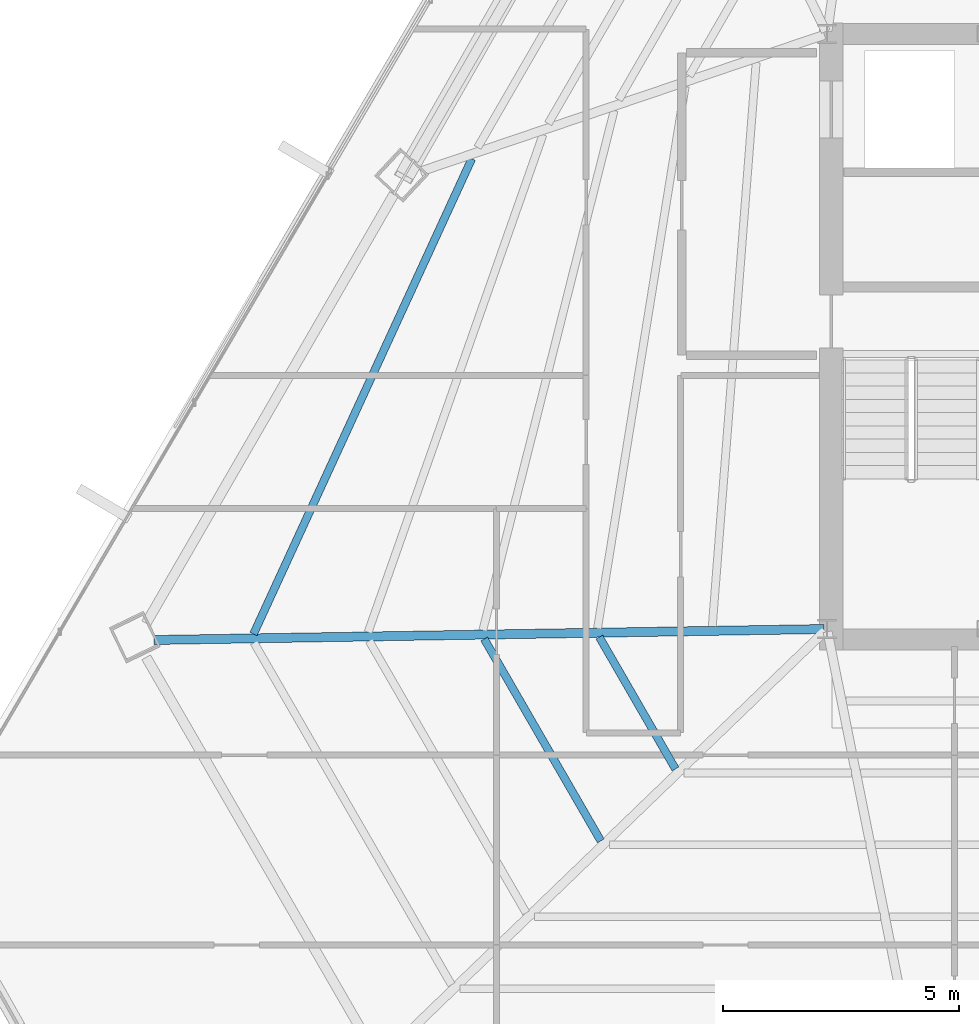
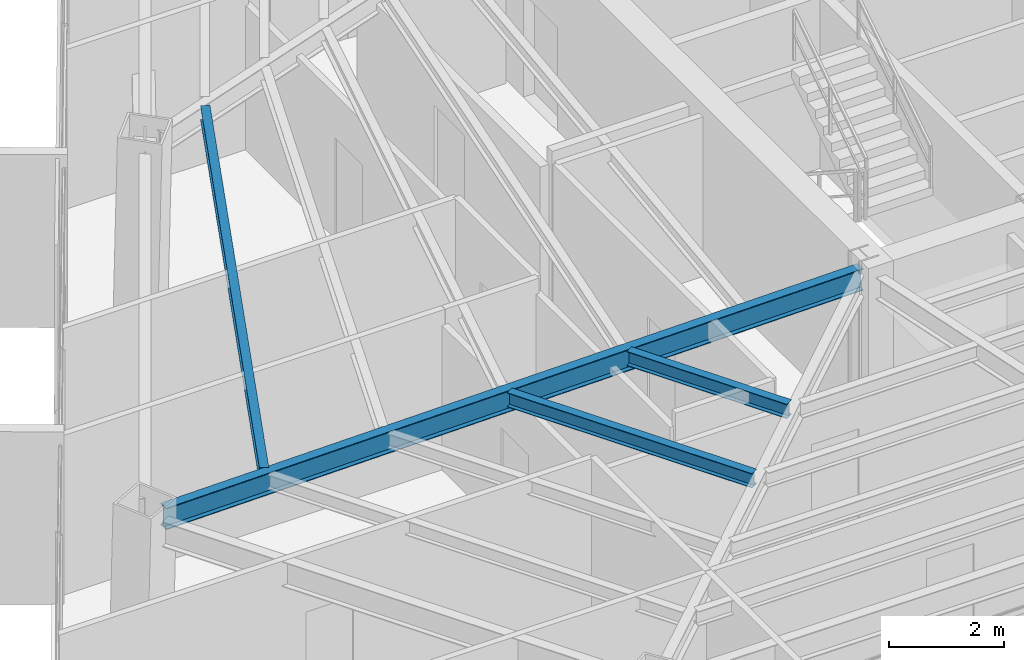
# One storey, part 11 of 44: 4 beams.
"""IFC4 building model written with IfcOpenShell, lengths in metres."""

import ifcopenshell
import ifcopenshell.guid

model = None  # the IFC model being written
_history = None  # IfcOwnerHistory: only IFC2X3 demands one
_inside = {}  # id of a spatial element -> (the spatial element, [elements in it])
_under = {}  # id of a project, library or spatial element -> (it, [spatial elements below it])
_declared = {}  # id of a project -> (the project, [libraries it declares])
_typed = {}  # id of a type object -> (the type object, [elements of that type])
_made_of = {}  # id of a material, layer set ... -> (it, [elements and type objects made of it])


def new_model(schema):
    """Start an empty IFC model of exactly this schema.

    Asked for "IFC4X3", IfcOpenShell would pick the latest addendum, in which some entities
    have other attributes; the version numbers below select the first issue.
    IFC2X3 requires an IfcOwnerHistory on every rooted entity: one is made here for all.
    """
    global model, _history
    if schema == "IFC4X3":
        model = ifcopenshell.file(schema_version=(4, 3, 0, 0))
    else:
        model = ifcopenshell.file(schema=schema)
    _inside.clear()
    _under.clear()
    _declared.clear()
    _typed.clear()
    _made_of.clear()
    _history = None
    if model.schema == "IFC2X3":
        org = make("IfcOrganization", Name="unknown")
        user = make(
            "IfcPersonAndOrganization",
            ThePerson=make("IfcPerson", FamilyName="unknown"),
            TheOrganization=org,
        )
        app = make(
            "IfcApplication",
            ApplicationDeveloper=org,
            Version="unknown",
            ApplicationFullName="unknown",
            ApplicationIdentifier="unknown",
        )
        _history = make(
            "IfcOwnerHistory",
            OwningUser=user,
            OwningApplication=app,
            ChangeAction="ADDED",
            CreationDate=0,
        )
    return model


def make(cls, **values):
    """One entity of the class cls with the attributes given. An attribute that is None is left unset."""
    return model.create_entity(
        cls, **{name: value for name, value in values.items() if value is not None}
    )


def rooted(cls, **values):
    """An entity with a GlobalId (a new one), such as an element, a storey or a relation."""
    return make(cls, GlobalId=ifcopenshell.guid.new(), OwnerHistory=_history, **values)


def si_unit(unit_type, name, prefix=None):
    """IfcSIUnit, for example si_unit("LENGTHUNIT", "METRE", prefix="MILLI")."""
    return make("IfcSIUnit", UnitType=unit_type, Prefix=prefix, Name=name)


def assignment(units):
    """IfcUnitAssignment: the units of a project."""
    return None if units is None else make("IfcUnitAssignment", Units=units)


def point(xyz):
    """IfcCartesianPoint."""
    return None if xyz is None else make("IfcCartesianPoint", Coordinates=xyz)


def direction(xyz):
    """IfcDirection."""
    return None if xyz is None else make("IfcDirection", DirectionRatios=xyz)


def frame(location, z_axis=None, x_axis=None):
    """IfcAxis2Placement3D, a coordinate frame: its origin and axes. An axis left out is left unset."""
    return make(
        "IfcAxis2Placement3D",
        Location=point(location),
        Axis=direction(z_axis),
        RefDirection=direction(x_axis),
    )


def frame_2d(location, x_axis=None):
    """IfcAxis2Placement2D, a coordinate frame in the plane: its origin and x axis."""
    return make(
        "IfcAxis2Placement2D", Location=point(location), RefDirection=direction(x_axis)
    )


def origin():
    """The frame at (0, 0, 0) with its axes left unset."""
    return frame((0.0, 0.0, 0.0))


def origin_2d():
    """The frame at (0, 0) in the plane with its x axis left unset."""
    return frame_2d((0.0, 0.0))


def place(relative_to, where):
    """IfcLocalPlacement: puts the frame where relative to a parent placement (None: the world)."""
    return make(
        "IfcLocalPlacement", PlacementRelTo=relative_to, RelativePlacement=where
    )


def context(
    kind, dimensions, precision=None, world=None, true_north=None, identifier=None
):
    """IfcGeometricRepresentationContext, for example the 3D "Model" context."""
    return make(
        "IfcGeometricRepresentationContext",
        ContextIdentifier=identifier,
        ContextType=kind,
        CoordinateSpaceDimension=dimensions,
        Precision=precision,
        WorldCoordinateSystem=world,
        TrueNorth=true_north,
    )


def subcontext(parent, identifier, kind, view, scale=None):
    """IfcGeometricRepresentationSubContext, for example "Body" below "Model"."""
    return make(
        "IfcGeometricRepresentationSubContext",
        ContextIdentifier=identifier,
        ContextType=kind,
        ParentContext=parent,
        TargetScale=scale,
        TargetView=view,
    )


def project(units=None, contexts=None):
    """IfcProject with its units and contexts."""
    return rooted(
        "IfcProject",
        Name="project",
        RepresentationContexts=contexts,
        UnitsInContext=assignment(units),
    )


def spatial(cls, under=None, at=None, **own):
    """A site, building, storey or space (cls), placed at a placement, below another one or the project."""
    s = rooted(cls, ObjectPlacement=at, **own)
    if under is not None:
        _under.setdefault(under.id(), (under, []))[1].append(s)
    return s


def profile(cls, at=None, kind="AREA", **sizes):
    """A parametric profile (cls). Its sizes go by their IFC names, for example OverallWidth=200.0."""
    return make(cls, ProfileType=kind, Position=at, **sizes)


def i_section(**sizes):
    """IfcIShapeProfileDef."""
    return profile("IfcIShapeProfileDef", **sizes)


def extrude(swept, where, along, depth):
    """IfcExtrudedAreaSolid: the profile swept, set in the frame where, extruded along a direction by depth."""
    return make(
        "IfcExtrudedAreaSolid",
        SweptArea=swept,
        Position=where,
        ExtrudedDirection=direction(along),
        Depth=depth,
    )


def shape(context_of_items, identifier, shape_type, items):
    """IfcShapeRepresentation: the items that make up one representation, for example the "Body"."""
    return make(
        "IfcShapeRepresentation",
        ContextOfItems=context_of_items,
        RepresentationIdentifier=identifier,
        RepresentationType=shape_type,
        Items=items,
    )


def source(mapping_origin, context_of_items, identifier, shape_type, items):
    """IfcRepresentationMap: a shape defined once, which mapped items show again and again."""
    return make(
        "IfcRepresentationMap",
        MappingOrigin=mapping_origin,
        MappedRepresentation=shape(context_of_items, identifier, shape_type, items),
    )


def transform(
    local_origin,
    x_axis=None,
    y_axis=None,
    z_axis=None,
    scale=None,
    scale2=None,
    scale3=None,
    uniform=True,
):
    """IfcCartesianTransformationOperator3D, or its non-uniform kind. x_axis, y_axis, z_axis: its Axis1, 2, 3."""
    if uniform:
        return make(
            "IfcCartesianTransformationOperator3D",
            Axis1=direction(x_axis),
            Axis2=direction(y_axis),
            LocalOrigin=point(local_origin),
            Scale=scale,
            Axis3=direction(z_axis),
        )
    return make(
        "IfcCartesianTransformationOperator3DnonUniform",
        Axis1=direction(x_axis),
        Axis2=direction(y_axis),
        LocalOrigin=point(local_origin),
        Scale=scale,
        Axis3=direction(z_axis),
        Scale2=scale2,
        Scale3=scale3,
    )


def mapped(mapping_source, mapping_target):
    """IfcMappedItem: shows the shape of a source again, moved by a transform."""
    return make(
        "IfcMappedItem", MappingSource=mapping_source, MappingTarget=mapping_target
    )


def material(Name=None, Category=None):
    """IfcMaterial."""
    return make("IfcMaterial", Name=Name, Category=Category)


def material_profile(
    of_material, cross_section, Name=None, Category=None, Priority=None
):
    """IfcMaterialProfile: a cross section and its material."""
    return make(
        "IfcMaterialProfile",
        Name=Name,
        Material=of_material,
        Profile=cross_section,
        Priority=Priority,
        Category=Category,
    )


def profile_set(profiles, Name=None, composite=None):
    """IfcMaterialProfileSet."""
    return make(
        "IfcMaterialProfileSet",
        Name=Name,
        MaterialProfiles=profiles,
        CompositeProfile=composite,
    )


def made_of(thing, what):
    """Note that an element or type object is made of a material, layer set ...; save() writes the relation."""
    if what is not None:
        _made_of.setdefault(what.id(), (what, []))[1].append(thing)
    return thing


def type_object(cls, material=None, **own):
    """A type object (cls), such as IfcWallType, which elements share."""
    return made_of(rooted(cls, **own), material)


def type_shapes(of_type, sources):
    """Give a type object the sources (RepresentationMaps) that its elements show as mapped items."""
    of_type.RepresentationMaps = sources


def element(
    cls,
    number,
    at=None,
    inside=None,
    cuts=None,
    type_object=None,
    material=None,
    context=None,
    identifier="Body",
    shape_type=None,
    held_by="IfcProductDefinitionShape",
    body=None,
    shapes=None,
    **own,
):
    """One element of the class cls, such as IfcWall. Its Tag is "e" and its number.

    at: its placement. inside: the storey or other place that contains it. cuts: it is an
    opening in that element (IfcRelVoidsElement). A single representation is given by context,
    identifier, shape_type and body (its items); several are given by shapes. held_by: the class
    of the entity that holds the representations. save() writes the other relations.
    """
    e = rooted(cls, Tag="e%d" % number, ObjectPlacement=at, **own)
    if body is not None:
        shapes = [shape(context, identifier, shape_type, body)]
    if shapes is not None:
        e.Representation = make(held_by, Representations=shapes)
    if inside is not None:
        _inside.setdefault(inside.id(), (inside, []))[1].append(e)
    if cuts is not None:
        rooted(
            "IfcRelVoidsElement", RelatingBuildingElement=cuts, RelatedOpeningElement=e
        )
    if type_object is not None:
        _typed.setdefault(type_object.id(), (type_object, []))[1].append(e)
    return made_of(e, material)


def aggregate(whole, parts):
    """IfcRelAggregates: a whole, such as a stair, and the parts it consists of."""
    return rooted("IfcRelAggregates", RelatingObject=whole, RelatedObjects=parts)


def save(model, path):
    """Write the relations noted so far, then the file.

    IfcRelAggregates (storeys below a building ...), IfcRelContainedInSpatialStructure (elements
    in a storey), IfcRelDefinesByType, IfcRelAssociatesMaterial and IfcRelDeclares: one each for
    every whole, place, type object, material and project.
    """
    for whole, parts in _under.values():
        aggregate(whole, parts)
    for where, things in _inside.values():
        rooted(
            "IfcRelContainedInSpatialStructure",
            RelatedElements=things,
            RelatingStructure=where,
        )
    for kind, things in _typed.values():
        rooted("IfcRelDefinesByType", RelatedObjects=things, RelatingType=kind)
    for what, things in _made_of.values():
        rooted("IfcRelAssociatesMaterial", RelatedObjects=things, RelatingMaterial=what)
    for by, libraries in _declared.values():
        rooted("IfcRelDeclares", RelatingContext=by, RelatedDefinitions=libraries)
    model.write(path)


model = new_model("IFC4")

# Units and contexts
model_context = context("Model", 3, precision=1e-05, world=origin(), true_north=direction((0.0, 1.0)))
body_context = subcontext(model_context, "Body", "Model", "MODEL_VIEW")
ifc_project = project(units=[si_unit("LENGTHUNIT", "METRE"), si_unit("AREAUNIT", "SQUARE_METRE"), si_unit("VOLUMEUNIT", "CUBIC_METRE"), si_unit("PLANEANGLEUNIT", "RADIAN"), si_unit("MASSUNIT", "GRAM", prefix="KILO")], contexts=[model_context])

# Site, building, storey
site_placement = place(None, origin())
site = spatial("IfcSite", under=ifc_project, at=site_placement, CompositionType="ELEMENT")
building_placement = place(site_placement, origin())
building = spatial("IfcBuilding", under=site, at=building_placement, Name="Caelisora Broadcast Tower", CompositionType="ELEMENT")
storey_placement = place(building_placement, frame((0.0, 0.0, 198.64990234375)))
storey = spatial("IfcBuildingStorey", under=building, at=storey_placement, Name="L52", CompositionType="ELEMENT", Elevation=198.64990234375)

# Beams
ifc_material = material(Name="Steel Grade 350 (AS/NZS 3679.1)", Category="steel")
ifc_material_profile_1 = material_profile(ifc_material, i_section(OverallWidth=0.19091796875, OverallDepth=0.46044921875, WebThickness=0.010009765625, FlangeThickness=0.01611328125, at=origin_2d()), Name="Steel Grade 350 (AS/NZS 3679.1)")
ifc_profile_set_1 = profile_set([ifc_material_profile_1], Name="Steel Grade 350 (AS/NZS 3679.1)")
beam_type_1 = type_object("IfcBeamType", Name="PG06", PredefinedType="BEAM", material=ifc_profile_set_1)
shared_shape_1 = source(origin(), body_context, "Body", "SweptSolid", [
    extrude(i_section(OverallWidth=0.19091796875, OverallDepth=0.46044921875, WebThickness=0.010009765625, FlangeThickness=0.01611328125, at=origin_2d()), origin(), (0.0, 0.0, 1.0), 14.189697265625),
])
type_shapes(beam_type_1, [shared_shape_1])
beam_1_placement = place(storey_placement, frame((30.43994140625, 17.39892578125, 3.169921875), z_axis=(-0.99986584406, -0.016379678962, 0.0), x_axis=(0.016379678962, -0.99986584406, 0.0)))
element("IfcBeam", 1, at=beam_1_placement, inside=storey, type_object=beam_type_1, Name="L52 beam PG06", PredefinedType="BEAM", context=body_context, shape_type="MappedRepresentation", body=[
    mapped(shared_shape_1, transform((0.0, 0.0, 0.0), scale=1.0)),
])
ifc_material_profile_2 = material_profile(ifc_material, i_section(OverallWidth=0.166015625, OverallDepth=0.30712890625, WebThickness=0.006591796875, FlangeThickness=0.01171875, at=origin_2d()), Name="Steel Grade 350 (AS/NZS 3679.1)")
ifc_profile_set_2 = profile_set([ifc_material_profile_2], Name="Steel Grade 350 (AS/NZS 3679.1)")
beam_type_2 = type_object("IfcBeamType", Name="SB03", PredefinedType="JOIST", material=ifc_profile_set_2)
shared_shape_2 = source(origin(), body_context, "Body", "SweptSolid", [
    extrude(i_section(OverallWidth=0.166015625, OverallDepth=0.30712890625, WebThickness=0.006591796875, FlangeThickness=0.01171875, at=origin_2d()), origin(), (0.0, 0.0, 1.0), 11.072509765625),
])
beam_2_placement = place(storey_placement, frame((22.978271484375, 27.35546875, 3.24658203125), z_axis=(-0.417396344844, -0.908724540942, 0.0), x_axis=(0.908724540942, -0.417396344844, 0.0)))
element("IfcBeam", 2, at=beam_2_placement, inside=storey, type_object=beam_type_2, Name="L52 beam SB03", PredefinedType="JOIST", context=body_context, shape_type="MappedRepresentation", body=[
    mapped(shared_shape_2, transform((0.0, 0.0, 0.0), scale=1.0)),
])
shared_shape_3 = source(origin(), body_context, "Body", "SweptSolid", [
    extrude(i_section(OverallWidth=0.166015625, OverallDepth=0.30712890625, WebThickness=0.006591796875, FlangeThickness=0.01171875, at=origin_2d()), origin(), (0.0, 0.0, 1.0), 3.223876953125),
])
beam_3_placement = place(storey_placement, frame((25.6787109375, 17.22802734375, 3.24658203125), z_axis=(0.499967189098, -0.866044346339, 0.0), x_axis=(0.866044346339, 0.499967189098, 0.0)))
element("IfcBeam", 3, at=beam_3_placement, inside=storey, type_object=beam_type_2, Name="L52 beam SB03", PredefinedType="JOIST", context=body_context, shape_type="MappedRepresentation", body=[
    mapped(shared_shape_3, transform((0.0, 0.0, 0.0), scale=1.0)),
])
shared_shape_4 = source(origin(), body_context, "Body", "SweptSolid", [
    extrude(i_section(OverallWidth=0.166015625, OverallDepth=0.30712890625, WebThickness=0.006591796875, FlangeThickness=0.01171875, at=origin_2d()), origin(), (0.0, 0.0, 1.0), 4.9365234375),
])
type_shapes(beam_type_2, [shared_shape_2, shared_shape_3, shared_shape_4])
beam_4_placement = place(storey_placement, frame((23.241455078125, 17.18798828125, 3.24658203125), z_axis=(0.500000720929, -0.866024987556, 0.0), x_axis=(0.866024987556, 0.500000720929, 0.0)))
element("IfcBeam", 4, at=beam_4_placement, inside=storey, type_object=beam_type_2, Name="L52 beam SB03", PredefinedType="JOIST", context=body_context, shape_type="MappedRepresentation", body=[
    mapped(shared_shape_4, transform((0.0, 0.0, 0.0), scale=1.0)),
])

save(model, "model.ifc")
